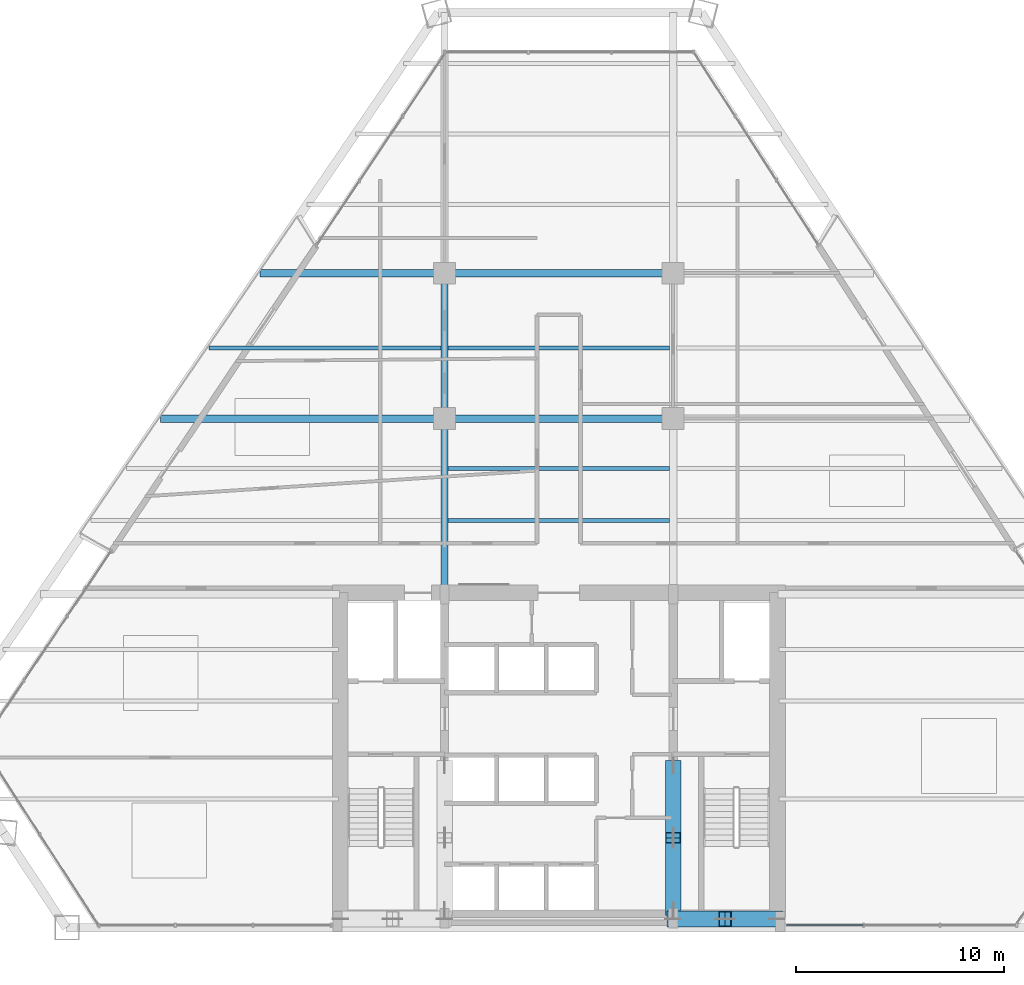
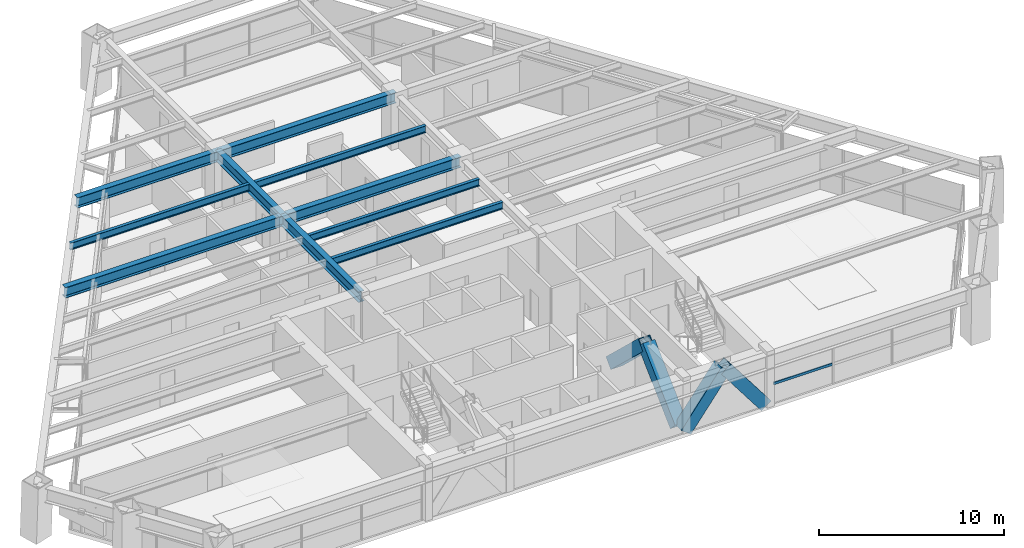
# One storey, part 5 of 14: 10 beams, 5 members, 1 element without a shape of its own.
"""IFC4 building model written with IfcOpenShell, lengths in metres."""

from ifc_helpers import new_model, si_unit, direction, frame, origin, origin_2d, place, context, subcontext, project, spatial, rectangle, hollow_rectangle, i_section, extrude, source, transform, mapped, material, material_profile, profile_set, type_object, type_shapes, element, aggregate, save


model = new_model("IFC4")

# Units and contexts
model_context = context("Model", 3, precision=1e-05, world=origin(), true_north=direction((0.0, 1.0)))
body_context = subcontext(model_context, "Body", "Model", "MODEL_VIEW")
ifc_project = project(units=[si_unit("LENGTHUNIT", "METRE"), si_unit("AREAUNIT", "SQUARE_METRE"), si_unit("VOLUMEUNIT", "CUBIC_METRE"), si_unit("PLANEANGLEUNIT", "RADIAN"), si_unit("MASSUNIT", "GRAM", prefix="KILO")], contexts=[model_context])

# Site, building, storey
site_placement = place(None, origin())
site = spatial("IfcSite", under=ifc_project, at=site_placement, CompositionType="ELEMENT")
building_placement = place(site_placement, origin())
building = spatial("IfcBuilding", under=site, at=building_placement, Name="Varnakhor Terracotta Tower", CompositionType="ELEMENT")
storey_placement = place(building_placement, frame((0.0, 0.0, 98.800048828125)))
storey = spatial("IfcBuildingStorey", under=building, at=storey_placement, Name="L24", CompositionType="ELEMENT", Elevation=98.800048828125)

# Beams
ifc_material_1 = material(Name="Steel S355", Category="steel")
ifc_material_profile_1 = material_profile(ifc_material_1, i_section(OverallWidth=0.35498046875, OverallDepth=0.695068359375, WebThickness=0.014892578125, FlangeThickness=0.02490234375, FilletRadius=0.01806640625, at=origin_2d()), Name="W27X146")
ifc_profile_set_1 = profile_set([ifc_material_profile_1], Name="Steel S355")
beam_type_1 = type_object("IfcBeamType", Name="BM-W27X146", PredefinedType="BEAM", material=ifc_profile_set_1)
shared_shape_1 = source(origin(), body_context, "Body", "SweptSolid", [
    extrude(i_section(OverallWidth=0.35498046875, OverallDepth=0.695068359375, WebThickness=0.014892578125, FlangeThickness=0.02490234375, FilletRadius=0.01806640625, at=origin_2d()), origin(), (0.0, 0.0, 1.0), 8.449951171875),
])
type_shapes(beam_type_1, [shared_shape_1])
beam_1_placement = place(storey_placement, frame((-5.5, 16.050048828125, 3.1025390625), z_axis=(0.0, 1.0, 0.0), x_axis=(-1.0, 0.0, 0.0)))
element("IfcBeam", 1, at=beam_1_placement, inside=storey, type_object=beam_type_1, Name="L24 Primary Girder NS1-W", PredefinedType="BEAM", context=body_context, shape_type="MappedRepresentation", body=[
    mapped(shared_shape_1, transform((0.0, 0.0, 0.0), scale=1.0)),
])
shared_shape_2 = source(origin(), body_context, "Body", "SweptSolid", [
    extrude(i_section(OverallWidth=0.35498046875, OverallDepth=0.695068359375, WebThickness=0.014892578125, FlangeThickness=0.02490234375, FilletRadius=0.01806640625, at=origin_2d()), origin(), (0.0, 0.0, 1.0), 7.0),
])
beam_2_placement = place(storey_placement, frame((-5.5, 24.5, 3.1025390625), z_axis=(0.0, 1.0, 0.0), x_axis=(-1.0, 0.0, 0.0)))
element("IfcBeam", 2, at=beam_2_placement, inside=storey, type_object=beam_type_1, Name="L24 Primary Girder NS2-W", PredefinedType="BEAM", context=body_context, shape_type="MappedRepresentation", body=[
    mapped(shared_shape_2, transform((0.0, 0.0, 0.0), scale=1.0)),
])
shared_shape_3 = source(origin(), body_context, "Body", "SweptSolid", [
    extrude(i_section(OverallWidth=0.35498046875, OverallDepth=0.695068359375, WebThickness=0.014892578125, FlangeThickness=0.02490234375, FilletRadius=0.01806640625, at=origin_2d()), origin(), (0.0, 0.0, 1.0), 11.0),
])
for number, where, z_axis, x_axis, name in (
    (3, (-5.5, 24.5, 3.1025390625), (1.0, 0.0, 0.0), (0.0, 1.0, 0.0), "L24 Primary Girder EW2-2"),
    (4, (-5.5, 31.5, 3.1025390625), (1.0, 0.0, 0.0), (0.0, 1.0, 0.0), "L24 Primary Girder EW3-2"),
):
    element("IfcBeam", number, at=place(storey_placement, frame(where, z_axis=z_axis, x_axis=x_axis)), inside=storey, type_object=beam_type_1, Name=name, PredefinedType="BEAM", context=body_context, shape_type="MappedRepresentation", body=[
        mapped(shared_shape_3, transform((0.0, 0.0, 0.0), scale=1.0)),
    ])
ifc_material_profile_2 = material_profile(ifc_material_1, i_section(OverallWidth=0.19189453125, OverallDepth=0.462890625, WebThickness=0.010498046875, FlangeThickness=0.017578125, FilletRadius=0.01806640625, at=origin_2d()), Name="W18X60")
ifc_profile_set_2 = profile_set([ifc_material_profile_2], Name="Steel S355")
beam_type_2 = type_object("IfcBeamType", Name="JST-W18X60", PredefinedType="JOIST", material=ifc_profile_set_2)
shared_shape_4 = source(origin(), body_context, "Body", "SweptSolid", [
    extrude(i_section(OverallWidth=0.19189453125, OverallDepth=0.462890625, WebThickness=0.010498046875, FlangeThickness=0.017578125, FilletRadius=0.01806640625, at=origin_2d()), origin(), (0.0, 0.0, 1.0), 10.65283203125),
])
for number, where, z_axis, x_axis, name in (
    (5, (-5.326416015625, 19.60009765625, 3.218505859375), (1.0, 0.0, 0.0), (0.0, 1.0, 0.0), "L24 Composite Floor Joist 4-2"),
    (6, (-5.326416015625, 22.10009765625, 3.218505859375), (1.0, 0.0, 0.0), (0.0, 1.0, 0.0), "L24 Composite Floor Joist 5-2"),
    (7, (-5.326416015625, 27.89990234375, 3.218505859375), (1.0, 0.0, 0.0), (0.0, 1.0, 0.0), "L24 Composite Floor Joist 6-2"),
):
    element("IfcBeam", number, at=place(storey_placement, frame(where, z_axis=z_axis, x_axis=x_axis)), inside=storey, type_object=beam_type_2, Name=name, PredefinedType="JOIST", context=body_context, shape_type="MappedRepresentation", body=[
        mapped(shared_shape_4, transform((0.0, 0.0, 0.0), scale=1.0)),
    ])

# Members
ifc_material_2 = material(Name="Steel S460", Category="steel")
ifc_material_profile_3 = material_profile(ifc_material_2, hollow_rectangle(XDim=0.75, YDim=0.75, WallThickness=0.044921875, at=origin_2d()), Name="HSS750X750X45")
ifc_profile_set_3 = profile_set([ifc_material_profile_3], Name="Steel S460")
member_type_1 = type_object("IfcMemberType", Name="MBR-MEGA-750", PredefinedType="BRACE", material=ifc_profile_set_3)
shared_shape_5 = source(origin(), body_context, "Body", "SweptSolid", [
    extrude(hollow_rectangle(XDim=0.75, YDim=0.75, WallThickness=0.044921875, at=origin_2d()), origin(), (0.0, 0.0, 1.0), 4.14013671875),
])
type_shapes(member_type_1, [shared_shape_5])
for number, where, z_axis, x_axis, name in (
    (8, (5.5, 0.419921875, 0.0), (0.603852011179, 0.0, 0.797096448741), (0.0, 1.0, 0.0), "L24 Core Coupled Brace CSEA"),
    (9, (10.5, 0.419921875, 0.0), (-0.603852011179, 0.0, 0.797096448741), (0.0, -1.0, 0.0), "L24 Core Coupled Brace CSEB"),
):
    element("IfcMember", number, at=place(storey_placement, frame(where, z_axis=z_axis, x_axis=x_axis)), inside=storey, type_object=member_type_1, Name=name, PredefinedType="BRACE", context=body_context, shape_type="MappedRepresentation", body=[
        mapped(shared_shape_5, transform((0.0, 0.0, 0.0), scale=1.0)),
    ])
shared_shape_6 = source(origin(), body_context, "Body", "SweptSolid", [
    extrude(hollow_rectangle(XDim=0.75, YDim=0.75, WallThickness=0.044921875, at=origin_2d()), origin(), (0.0, 0.0, 1.0), 4.792236328125),
])
for number, where, z_axis, x_axis, name in (
    (10, (5.5, 0.85009765625, 0.0), (0.0, 0.725110085518, 0.688632967466), (-1.0, 0.0, 0.0), "L24 Core Coupled Brace CWEA"),
    (11, (5.5, 7.800048828125, 0.0), (0.0, -0.72513424341, 0.688607529028), (1.0, 0.0, 0.0), "L24 Core Coupled Brace CWEB"),
):
    element("IfcMember", number, at=place(storey_placement, frame(where, z_axis=z_axis, x_axis=x_axis)), inside=storey, type_object=member_type_1, Name=name, PredefinedType="BRACE", context=body_context, shape_type="MappedRepresentation", body=[
        mapped(shared_shape_6, transform((0.0, 0.0, 0.0), scale=1.0)),
    ])

# Beams
shared_shape_7 = source(origin(), body_context, "Body", "SweptSolid", [
    extrude(i_section(OverallWidth=0.35498046875, OverallDepth=0.695068359375, WebThickness=0.014892578125, FlangeThickness=0.02490234375, FilletRadius=0.01806640625, at=origin_2d()), origin(), (0.0, 0.0, 1.0), 13.666748046875),
])
beam_3_placement = place(storey_placement, frame((-19.166748046875, 24.5, 3.1025390625), z_axis=(1.0, 0.0, 0.0), x_axis=(0.0, 1.0, 0.0)))
element("IfcBeam", 12, at=beam_3_placement, inside=storey, type_object=beam_type_1, Name="L24 Primary Girder EW2-1", PredefinedType="BEAM", context=body_context, shape_type="MappedRepresentation", body=[
    mapped(shared_shape_7, transform((0.0, 0.0, 0.0), scale=1.0)),
])
shared_shape_8 = source(origin(), body_context, "Body", "SweptSolid", [
    extrude(i_section(OverallWidth=0.35498046875, OverallDepth=0.695068359375, WebThickness=0.014892578125, FlangeThickness=0.02490234375, FilletRadius=0.01806640625, at=origin_2d()), origin(), (0.0, 0.0, 1.0), 8.878173828125),
])
beam_4_placement = place(storey_placement, frame((-14.378173828125, 31.5, 3.1025390625), z_axis=(1.0, 0.0, 0.0), x_axis=(0.0, 1.0, 0.0)))
element("IfcBeam", 13, at=beam_4_placement, inside=storey, type_object=beam_type_1, Name="L24 Primary Girder EW3-1", PredefinedType="BEAM", context=body_context, shape_type="MappedRepresentation", body=[
    mapped(shared_shape_8, transform((0.0, 0.0, 0.0), scale=1.0)),
])
shared_shape_9 = source(origin(), body_context, "Body", "SweptSolid", [
    extrude(i_section(OverallWidth=0.19189453125, OverallDepth=0.462890625, WebThickness=0.010498046875, FlangeThickness=0.017578125, FilletRadius=0.01806640625, at=origin_2d()), origin(), (0.0, 0.0, 1.0), 11.167236328125),
])
beam_5_placement = place(storey_placement, frame((-16.8408203125, 27.89990234375, 3.218505859375), z_axis=(1.0, 0.0, 0.0), x_axis=(0.0, 1.0, 0.0)))
element("IfcBeam", 14, at=beam_5_placement, inside=storey, type_object=beam_type_2, Name="L24 Composite Floor Joist 6-1", PredefinedType="JOIST", context=body_context, shape_type="MappedRepresentation", body=[
    mapped(shared_shape_9, transform((0.0, 0.0, 0.0), scale=1.0)),
])

# Curtain wall, member
ifc_material_3 = material(Name="Anodised Aluminium Curtain Wall System", Category="aluminium")
curtain_wall_type = type_object("IfcCurtainWallType", Name="CW-SYS-LOW-OFFICE", PredefinedType="NOTDEFINED", material=ifc_material_3)
curtain_wall_placement = place(storey_placement, origin())
curtain_wall = element("IfcCurtainWall", 15, at=curtain_wall_placement, inside=storey, type_object=curtain_wall_type, Name="L24 South Wing Curtain Wall SSE", PredefinedType="NOTDEFINED")
ifc_material_4 = material(Name="Anodised Aluminium 6063-T6", Category="aluminium")
ifc_material_profile_4 = material_profile(ifc_material_4, rectangle(XDim=0.074951171875, YDim=0.1650390625, at=origin_2d()), Name="ALU TRANSOM 75x165")
ifc_profile_set_4 = profile_set([ifc_material_profile_4], Name="Anodised Aluminium 6063-T6")
member_type_2 = type_object("IfcMemberType", Name="CWT-02", PredefinedType="USERDEFINED", material=ifc_profile_set_4)
shared_shape_10 = source(origin(), body_context, "Body", "SweptSolid", [
    extrude(rectangle(XDim=0.074951171875, YDim=0.1650390625, at=origin_2d()), origin(), (0.0, 0.0, 1.0), 3.68994140625),
])
member_placement = place(storey_placement, frame((14.659912109375, 0.1201171875, 1.2724609375), z_axis=(-1.0, 0.0, 0.0), x_axis=(0.0, -1.0, 0.0)))
member = element("IfcMember", 16, at=member_placement, type_object=member_type_2, Name="L24 South Wing Curtain Wall SSE Transom 3", ObjectType="TRANSOM", PredefinedType="USERDEFINED", context=body_context, shape_type="MappedRepresentation", body=[
    mapped(shared_shape_10, transform((0.0, 0.0, 0.0), scale=1.0)),
])
aggregate(curtain_wall, [member])

save(model, "model.ifc")
